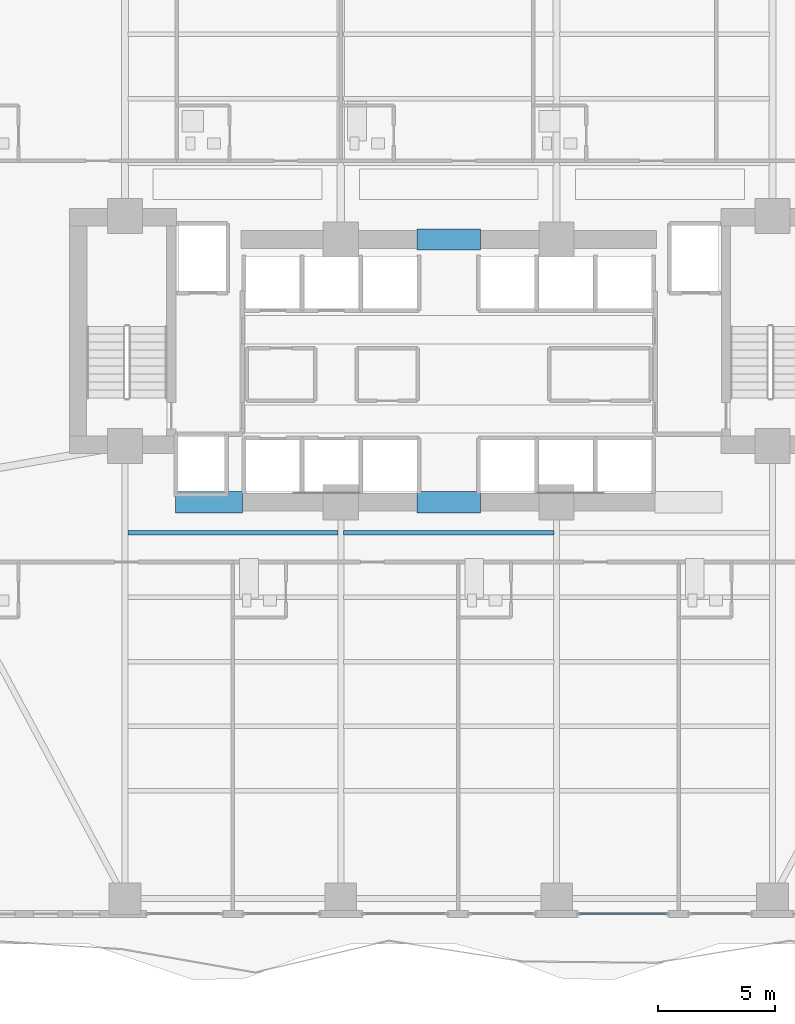
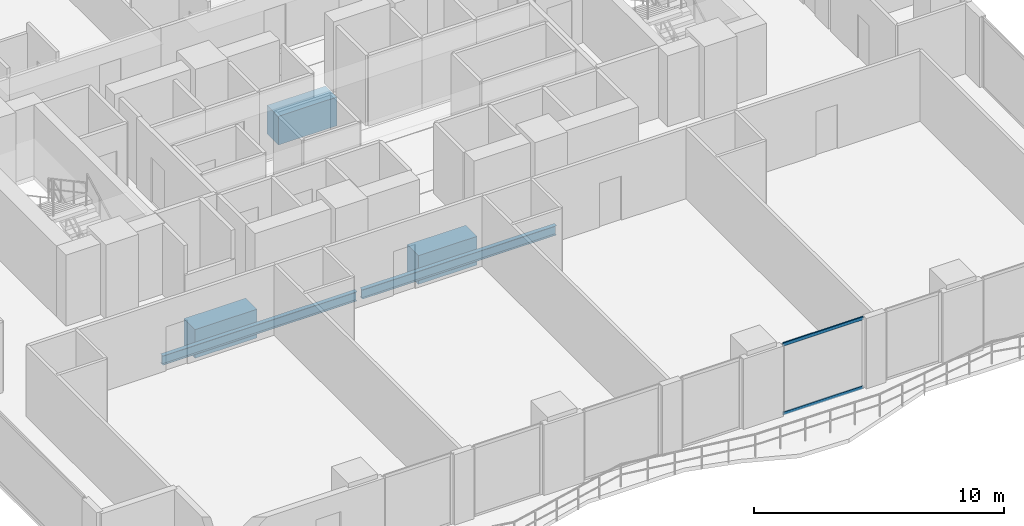
# One storey, part 8 of 27: 5 beams, 2 members, 1 element without a shape of its own.
"""IFC4 building model written with IfcOpenShell, lengths in metres."""

import ifcopenshell
import ifcopenshell.guid

model = None  # the IFC model being written
_history = None  # IfcOwnerHistory: only IFC2X3 demands one
_inside = {}  # id of a spatial element -> (the spatial element, [elements in it])
_under = {}  # id of a project, library or spatial element -> (it, [spatial elements below it])
_declared = {}  # id of a project -> (the project, [libraries it declares])
_typed = {}  # id of a type object -> (the type object, [elements of that type])
_made_of = {}  # id of a material, layer set ... -> (it, [elements and type objects made of it])


def new_model(schema):
    """Start an empty IFC model of exactly this schema.

    Asked for "IFC4X3", IfcOpenShell would pick the latest addendum, in which some entities
    have other attributes; the version numbers below select the first issue.
    IFC2X3 requires an IfcOwnerHistory on every rooted entity: one is made here for all.
    """
    global model, _history
    if schema == "IFC4X3":
        model = ifcopenshell.file(schema_version=(4, 3, 0, 0))
    else:
        model = ifcopenshell.file(schema=schema)
    _inside.clear()
    _under.clear()
    _declared.clear()
    _typed.clear()
    _made_of.clear()
    _history = None
    if model.schema == "IFC2X3":
        org = make("IfcOrganization", Name="unknown")
        user = make(
            "IfcPersonAndOrganization",
            ThePerson=make("IfcPerson", FamilyName="unknown"),
            TheOrganization=org,
        )
        app = make(
            "IfcApplication",
            ApplicationDeveloper=org,
            Version="unknown",
            ApplicationFullName="unknown",
            ApplicationIdentifier="unknown",
        )
        _history = make(
            "IfcOwnerHistory",
            OwningUser=user,
            OwningApplication=app,
            ChangeAction="ADDED",
            CreationDate=0,
        )
    return model


def make(cls, **values):
    """One entity of the class cls with the attributes given. An attribute that is None is left unset."""
    return model.create_entity(
        cls, **{name: value for name, value in values.items() if value is not None}
    )


def rooted(cls, **values):
    """An entity with a GlobalId (a new one), such as an element, a storey or a relation."""
    return make(cls, GlobalId=ifcopenshell.guid.new(), OwnerHistory=_history, **values)


def si_unit(unit_type, name, prefix=None):
    """IfcSIUnit, for example si_unit("LENGTHUNIT", "METRE", prefix="MILLI")."""
    return make("IfcSIUnit", UnitType=unit_type, Prefix=prefix, Name=name)


def assignment(units):
    """IfcUnitAssignment: the units of a project."""
    return None if units is None else make("IfcUnitAssignment", Units=units)


def point(xyz):
    """IfcCartesianPoint."""
    return None if xyz is None else make("IfcCartesianPoint", Coordinates=xyz)


def direction(xyz):
    """IfcDirection."""
    return None if xyz is None else make("IfcDirection", DirectionRatios=xyz)


def frame(location, z_axis=None, x_axis=None):
    """IfcAxis2Placement3D, a coordinate frame: its origin and axes. An axis left out is left unset."""
    return make(
        "IfcAxis2Placement3D",
        Location=point(location),
        Axis=direction(z_axis),
        RefDirection=direction(x_axis),
    )


def frame_2d(location, x_axis=None):
    """IfcAxis2Placement2D, a coordinate frame in the plane: its origin and x axis."""
    return make(
        "IfcAxis2Placement2D", Location=point(location), RefDirection=direction(x_axis)
    )


def origin():
    """The frame at (0, 0, 0) with its axes left unset."""
    return frame((0.0, 0.0, 0.0))


def origin_2d():
    """The frame at (0, 0) in the plane with its x axis left unset."""
    return frame_2d((0.0, 0.0))


def place(relative_to, where):
    """IfcLocalPlacement: puts the frame where relative to a parent placement (None: the world)."""
    return make(
        "IfcLocalPlacement", PlacementRelTo=relative_to, RelativePlacement=where
    )


def context(
    kind, dimensions, precision=None, world=None, true_north=None, identifier=None
):
    """IfcGeometricRepresentationContext, for example the 3D "Model" context."""
    return make(
        "IfcGeometricRepresentationContext",
        ContextIdentifier=identifier,
        ContextType=kind,
        CoordinateSpaceDimension=dimensions,
        Precision=precision,
        WorldCoordinateSystem=world,
        TrueNorth=true_north,
    )


def subcontext(parent, identifier, kind, view, scale=None):
    """IfcGeometricRepresentationSubContext, for example "Body" below "Model"."""
    return make(
        "IfcGeometricRepresentationSubContext",
        ContextIdentifier=identifier,
        ContextType=kind,
        ParentContext=parent,
        TargetScale=scale,
        TargetView=view,
    )


def project(units=None, contexts=None):
    """IfcProject with its units and contexts."""
    return rooted(
        "IfcProject",
        Name="project",
        RepresentationContexts=contexts,
        UnitsInContext=assignment(units),
    )


def spatial(cls, under=None, at=None, **own):
    """A site, building, storey or space (cls), placed at a placement, below another one or the project."""
    s = rooted(cls, ObjectPlacement=at, **own)
    if under is not None:
        _under.setdefault(under.id(), (under, []))[1].append(s)
    return s


def profile(cls, at=None, kind="AREA", **sizes):
    """A parametric profile (cls). Its sizes go by their IFC names, for example OverallWidth=200.0."""
    return make(cls, ProfileType=kind, Position=at, **sizes)


def rectangle(**sizes):
    """IfcRectangleProfileDef."""
    return profile("IfcRectangleProfileDef", **sizes)


def hollow_rectangle(**sizes):
    """IfcRectangleHollowProfileDef."""
    return profile("IfcRectangleHollowProfileDef", **sizes)


def i_section(**sizes):
    """IfcIShapeProfileDef."""
    return profile("IfcIShapeProfileDef", **sizes)


def extrude(swept, where, along, depth):
    """IfcExtrudedAreaSolid: the profile swept, set in the frame where, extruded along a direction by depth."""
    return make(
        "IfcExtrudedAreaSolid",
        SweptArea=swept,
        Position=where,
        ExtrudedDirection=direction(along),
        Depth=depth,
    )


def shape(context_of_items, identifier, shape_type, items):
    """IfcShapeRepresentation: the items that make up one representation, for example the "Body"."""
    return make(
        "IfcShapeRepresentation",
        ContextOfItems=context_of_items,
        RepresentationIdentifier=identifier,
        RepresentationType=shape_type,
        Items=items,
    )


def material(Name=None, Category=None):
    """IfcMaterial."""
    return make("IfcMaterial", Name=Name, Category=Category)


def layer(
    of_material, thickness, ventilated=None, Name=None, Category=None, Priority=None
):
    """IfcMaterialLayer: one layer of a wall or slab, of a material (None: an air gap)."""
    return make(
        "IfcMaterialLayer",
        Material=of_material,
        LayerThickness=thickness,
        IsVentilated=ventilated,
        Name=Name,
        Category=Category,
        Priority=Priority,
    )


def layer_set(layers, Name=None):
    """IfcMaterialLayerSet."""
    return make("IfcMaterialLayerSet", MaterialLayers=layers, LayerSetName=Name)


def material_profile(
    of_material, cross_section, Name=None, Category=None, Priority=None
):
    """IfcMaterialProfile: a cross section and its material."""
    return make(
        "IfcMaterialProfile",
        Name=Name,
        Material=of_material,
        Profile=cross_section,
        Priority=Priority,
        Category=Category,
    )


def profile_set(profiles, Name=None, composite=None):
    """IfcMaterialProfileSet."""
    return make(
        "IfcMaterialProfileSet",
        Name=Name,
        MaterialProfiles=profiles,
        CompositeProfile=composite,
    )


def made_of(thing, what):
    """Note that an element or type object is made of a material, layer set ...; save() writes the relation."""
    if what is not None:
        _made_of.setdefault(what.id(), (what, []))[1].append(thing)
    return thing


def type_object(cls, material=None, **own):
    """A type object (cls), such as IfcWallType, which elements share."""
    return made_of(rooted(cls, **own), material)


def element(
    cls,
    number,
    at=None,
    inside=None,
    cuts=None,
    type_object=None,
    material=None,
    context=None,
    identifier="Body",
    shape_type=None,
    held_by="IfcProductDefinitionShape",
    body=None,
    shapes=None,
    **own,
):
    """One element of the class cls, such as IfcWall. Its Tag is "e" and its number.

    at: its placement. inside: the storey or other place that contains it. cuts: it is an
    opening in that element (IfcRelVoidsElement). A single representation is given by context,
    identifier, shape_type and body (its items); several are given by shapes. held_by: the class
    of the entity that holds the representations. save() writes the other relations.
    """
    e = rooted(cls, Tag="e%d" % number, ObjectPlacement=at, **own)
    if body is not None:
        shapes = [shape(context, identifier, shape_type, body)]
    if shapes is not None:
        e.Representation = make(held_by, Representations=shapes)
    if inside is not None:
        _inside.setdefault(inside.id(), (inside, []))[1].append(e)
    if cuts is not None:
        rooted(
            "IfcRelVoidsElement", RelatingBuildingElement=cuts, RelatedOpeningElement=e
        )
    if type_object is not None:
        _typed.setdefault(type_object.id(), (type_object, []))[1].append(e)
    return made_of(e, material)


def aggregate(whole, parts):
    """IfcRelAggregates: a whole, such as a stair, and the parts it consists of."""
    return rooted("IfcRelAggregates", RelatingObject=whole, RelatedObjects=parts)


def save(model, path):
    """Write the relations noted so far, then the file.

    IfcRelAggregates (storeys below a building ...), IfcRelContainedInSpatialStructure (elements
    in a storey), IfcRelDefinesByType, IfcRelAssociatesMaterial and IfcRelDeclares: one each for
    every whole, place, type object, material and project.
    """
    for whole, parts in _under.values():
        aggregate(whole, parts)
    for where, things in _inside.values():
        rooted(
            "IfcRelContainedInSpatialStructure",
            RelatedElements=things,
            RelatingStructure=where,
        )
    for kind, things in _typed.values():
        rooted("IfcRelDefinesByType", RelatedObjects=things, RelatingType=kind)
    for what, things in _made_of.values():
        rooted("IfcRelAssociatesMaterial", RelatedObjects=things, RelatingMaterial=what)
    for by, libraries in _declared.values():
        rooted("IfcRelDeclares", RelatingContext=by, RelatedDefinitions=libraries)
    model.write(path)


model = new_model("IFC4")

# Units and contexts
model_context = context("Model", 3, precision=1e-05, world=origin(), true_north=direction((0.0, 1.0)))
body_context = subcontext(model_context, "Body", "Model", "MODEL_VIEW")
ifc_project = project(units=[si_unit("LENGTHUNIT", "METRE"), si_unit("AREAUNIT", "SQUARE_METRE"), si_unit("VOLUMEUNIT", "CUBIC_METRE"), si_unit("PLANEANGLEUNIT", "RADIAN"), si_unit("MASSUNIT", "GRAM", prefix="KILO")], contexts=[model_context])

# Site, building, storey
site_placement = place(None, origin())
site = spatial("IfcSite", under=ifc_project, at=site_placement, CompositionType="ELEMENT")
building_placement = place(site_placement, origin())
building = spatial("IfcBuilding", under=site, at=building_placement, Name="Zuhayl Quay Hotel", CompositionType="ELEMENT")
storey_placement = place(building_placement, frame((0.0, 0.0, 117.550048828125)))
storey = spatial("IfcBuildingStorey", under=building, at=storey_placement, Name="L29", CompositionType="ELEMENT", Elevation=117.550048828125)

# Beams
ifc_material_1 = material(Name="Concrete C60/75", Category="concrete")
ifc_material_profile_1 = material_profile(ifc_material_1, rectangle(XDim=0.89990234375, YDim=1.39990234375, at=origin_2d()), Name="RC900X1400")
ifc_profile_set_1 = profile_set([ifc_material_profile_1], Name="Concrete C60/75")
beam_type_1 = type_object("IfcBeamType", Name="BM_CB1_RC900", PredefinedType="T_BEAM", material=ifc_profile_set_1)
beam_placement = place(storey_placement, frame((-11.64990234375, 2.14990234375, -0.920166015625), z_axis=(1.0, 0.0, 0.0), x_axis=(0.0, 1.0, 0.0)))
element("IfcBeam", 1, at=beam_placement, inside=storey, type_object=beam_type_1, Name="L29 Core Coupling Beam SW", PredefinedType="T_BEAM", context=body_context, shape_type="SweptSolid", body=[
    extrude(rectangle(XDim=0.89990234375, YDim=1.39990234375, at=origin_2d()), origin(), (0.0, 0.0, 1.0), 2.849853515625),
])
for number, where, z_axis, x_axis, name in (
    (2, (-1.35009765625, 13.35009765625, -0.920166015625), (1.0, 0.0, 0.0), (0.0, 1.0, 0.0), "L29 Core Coupling Beam North"),
    (3, (-1.35009765625, 2.14990234375, -0.920166015625), (1.0, 0.0, 0.0), (0.0, 1.0, 0.0), "L29 Core Coupling Beam South"),
):
    element("IfcBeam", number, at=place(storey_placement, frame(where, z_axis=z_axis, x_axis=x_axis)), inside=storey, type_object=beam_type_1, Name=name, PredefinedType="T_BEAM", context=body_context, shape_type="SweptSolid", body=[
        extrude(rectangle(XDim=0.89990234375, YDim=1.39990234375, at=origin_2d()), origin(), (0.0, 0.0, 1.0), 2.7001953125),
    ])
ifc_material_2 = material(Name="Steel ASTM A992 Grade 50", Category="steel")
ifc_material_profile_2 = material_profile(ifc_material_2, i_section(OverallWidth=0.18994140625, OverallDepth=0.45703125, WebThickness=0.009033203125, FlangeThickness=0.014404296875, at=origin_2d()), Name="W18X50")
ifc_profile_set_2 = profile_set([ifc_material_profile_2], Name="Steel ASTM A992 Grade 50")
beam_type_2 = type_object("IfcBeamType", Name="BM_J2_W18X50", PredefinedType="JOIST", material=ifc_profile_set_2)
for number, where, z_axis, x_axis, name in (
    (4, (-13.680908203125, 0.85009765625, -0.448486328125), (1.0, 0.0, 0.0), (0.0, 1.0, 0.0), "L29 Floor Beam FJ_L29_9_1"),
    (5, (-4.48095703125, 0.85009765625, -0.448486328125), (1.0, 0.0, 0.0), (0.0, 1.0, 0.0), "L29 Floor Beam FJ_L29_9_2"),
):
    element("IfcBeam", number, at=place(storey_placement, frame(where, z_axis=z_axis, x_axis=x_axis)), inside=storey, type_object=beam_type_2, Name=name, PredefinedType="JOIST", context=body_context, shape_type="SweptSolid", body=[
        extrude(i_section(OverallWidth=0.18994140625, OverallDepth=0.45703125, WebThickness=0.009033203125, FlangeThickness=0.014404296875, at=origin_2d()), origin(), (0.0, 0.0, 1.0), 8.9619140625),
    ])

# Curtain wall, members
ifc_material_3 = material(Name="Anodised Aluminium 6063-T6", Category="aluminium")
ifc_layer = layer(ifc_material_3, 0.179931640625, Name="Anodised Aluminium 6063-T6", Category="aluminium")
ifc_layer_set = layer_set([ifc_layer], Name="Anodised Aluminium 6063-T6")
curtain_wall_type = type_object("IfcCurtainWallType", Name="CW_SYS_Z2", PredefinedType="USERDEFINED", material=ifc_layer_set)
curtain_wall_placement = place(storey_placement, origin())
curtain_wall = element("IfcCurtainWall", 6, at=curtain_wall_placement, inside=storey, type_object=curtain_wall_type, Name="L29 Curtain Wall ENV_L29_S_CW3", ObjectType="UNITISED CURTAIN WALL", PredefinedType="USERDEFINED")
ifc_material_4 = material(Name="Black-anodised aluminium 6063-T6", Category="aluminium")
ifc_material_profile_3 = material_profile(ifc_material_4, hollow_rectangle(XDim=0.06005859375, YDim=0.14990234375, WallThickness=0.00341796875, at=origin_2d()), Name="ALU150X60")
ifc_profile_set_3 = profile_set([ifc_material_profile_3], Name="Black-anodised aluminium 6063-T6")
member_type = type_object("IfcMemberType", Name="MB_CW_TRN_150", PredefinedType="USERDEFINED", material=ifc_profile_set_3)
member_1_placement = place(storey_placement, frame((9.284912109375, -15.39990234375, 0.030029296875), z_axis=(-1.0, 0.0, 0.0), x_axis=(0.0, -1.0, 0.0)))
member_1 = element("IfcMember", 7, at=member_1_placement, type_object=member_type, Name="CW-Z2 transom 1.1", ObjectType="TRANSOM", PredefinedType="USERDEFINED", context=body_context, shape_type="SweptSolid", body=[
    extrude(hollow_rectangle(XDim=0.06005859375, YDim=0.14990234375, WallThickness=0.00341796875, at=origin_2d()), origin(), (0.0, 0.0, 1.0), 3.699951171875),
])
member_2_placement = place(storey_placement, frame((9.284912109375, -15.39990234375, 3.39990234375), z_axis=(-1.0, 0.0, 0.0), x_axis=(0.0, -1.0, 0.0)))
member_2 = element("IfcMember", 8, at=member_2_placement, type_object=member_type, Name="CW-Z2 transom 1.2", ObjectType="TRANSOM", PredefinedType="USERDEFINED", context=body_context, shape_type="SweptSolid", body=[
    extrude(hollow_rectangle(XDim=0.06005859375, YDim=0.14990234375, WallThickness=0.00341796875, at=origin_2d()), origin(), (0.0, 0.0, 1.0), 3.699951171875),
])
aggregate(curtain_wall, [member_1, member_2])

save(model, "model.ifc")
